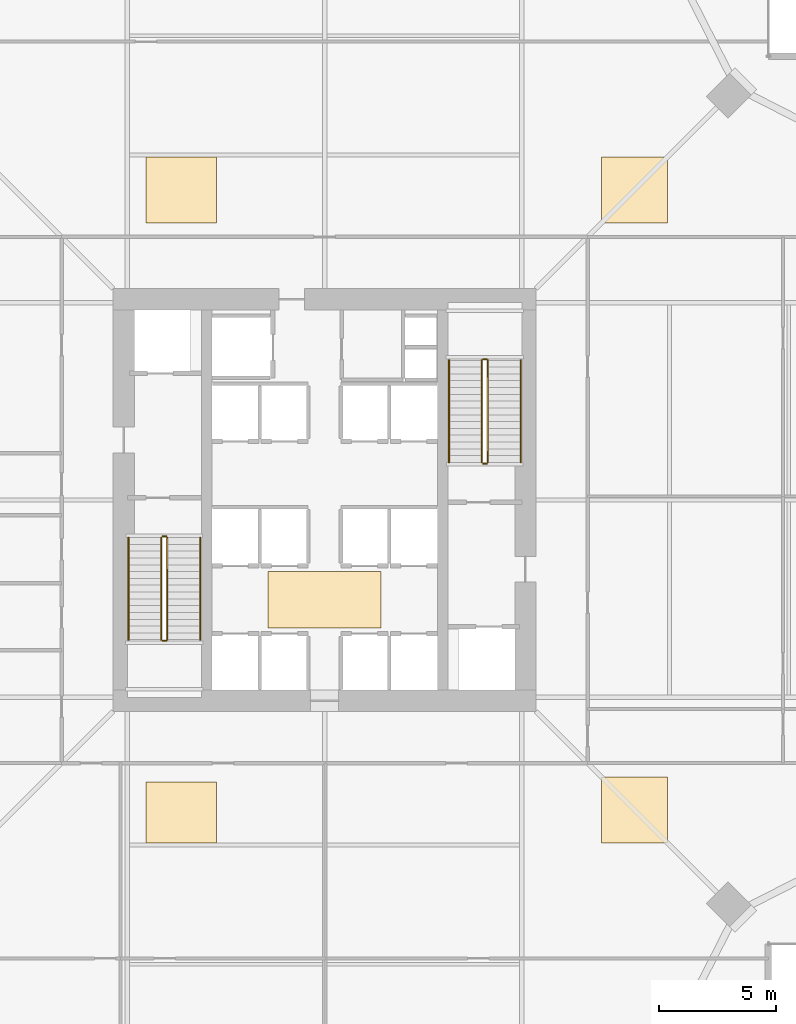
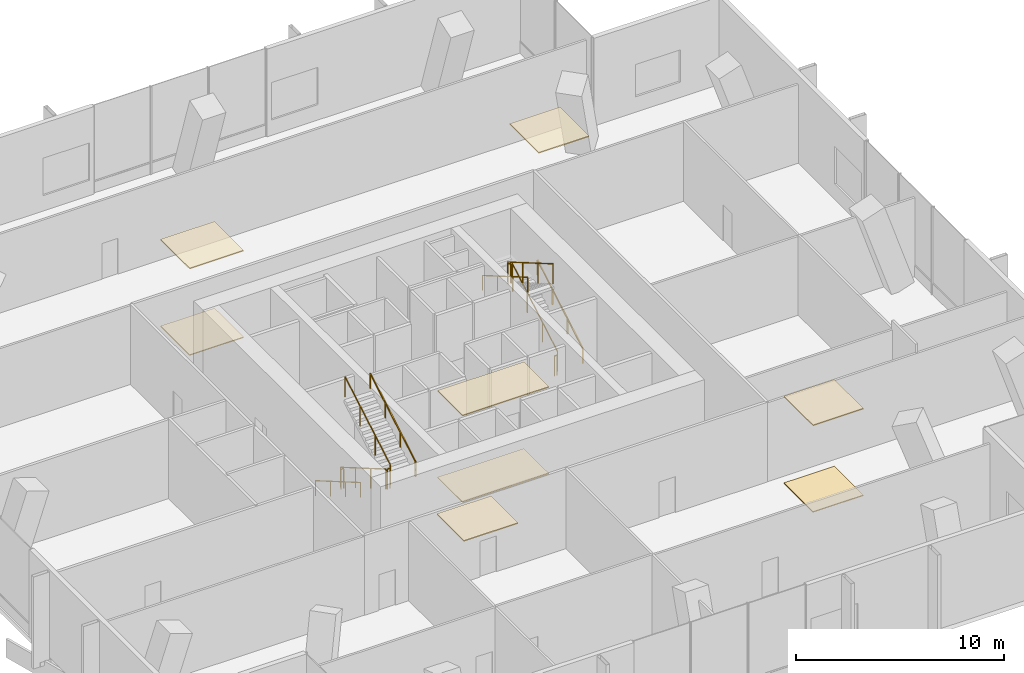
# One storey, part 28 of 28: 12 railings, 8 coverings.
"""IFC4 building model written with IfcOpenShell, lengths in metres."""

from ifc_helpers import new_model, si_unit, direction, frame, origin, origin_2d, place, context, subcontext, project, spatial, polyline, rectangle, outline, extrude, material, layer, layer_set, type_object, element, save


model = new_model("IFC4")

# Units and contexts
model_context = context("Model", 3, precision=1e-05, world=origin(), true_north=direction((0.0, 1.0)))
body_context = subcontext(model_context, "Body", "Model", "MODEL_VIEW")
ifc_project = project(units=[si_unit("LENGTHUNIT", "METRE"), si_unit("AREAUNIT", "SQUARE_METRE"), si_unit("VOLUMEUNIT", "CUBIC_METRE"), si_unit("PLANEANGLEUNIT", "RADIAN"), si_unit("MASSUNIT", "GRAM", prefix="KILO")], contexts=[model_context])

# Site, building, storey
site_placement = place(None, origin())
site = spatial("IfcSite", under=ifc_project, at=site_placement, CompositionType="ELEMENT")
building_placement = place(site_placement, origin())
building = spatial("IfcBuilding", under=site, at=building_placement, Name="Belovzor Exchange Tower", CompositionType="ELEMENT")
storey_placement = place(building_placement, frame((0.0, 0.0, 132.89990234375)))
storey = spatial("IfcBuildingStorey", under=building, at=storey_placement, Name="L32", CompositionType="ELEMENT", Elevation=132.89990234375)

# Railings
ifc_material_1 = material(Name="Stainless Steel Grade 304", Category="steel")
railing_type_1 = type_object("IfcRailingType", Name="Brushed Stainless Steel Stair Handrail 900", PredefinedType="HANDRAIL", material=ifc_material_1)
railing_1_placement = place(storey_placement, frame((20.449951171875, 27.199951171875, 0.1689453125)))
element("IfcRailing", 1, at=railing_1_placement, inside=storey, type_object=railing_type_1, Name="L32 ST-1 stair handrail 1", PredefinedType="HANDRAIL", context=body_context, shape_type="SweptSolid", body=[
    extrude(rectangle(XDim=0.048095703125, YDim=0.048095703125, at=origin_2d()), frame((0.0, 0.0, 0.8759765625), z_axis=(0.0, -0.864311530196, 0.502956835891), x_axis=(1.0, 0.0, 0.0)), (0.0, 0.0, 1.0), 5.03271484375),
    extrude(rectangle(XDim=0.0419921875, YDim=0.0419921875, at=origin_2d()), origin(), (0.0, 0.0, 1.0), 0.851806640625),
    extrude(rectangle(XDim=0.0419921875, YDim=0.0419921875, at=origin_2d()), frame((0.0, -1.449951171875, 0.84375)), (0.0, 0.0, 1.0), 0.851806640625),
    extrude(rectangle(XDim=0.0419921875, YDim=0.0419921875, at=origin_2d()), frame((0.0, -2.89990234375, 1.6875)), (0.0, 0.0, 1.0), 0.851806640625),
    extrude(rectangle(XDim=0.0419921875, YDim=0.0419921875, at=origin_2d()), frame((0.0, -4.349853515625, 2.53125)), (0.0, 0.0, 1.0), 0.851806640625),
])
railing_2_placement = place(storey_placement, frame((23.5, 22.85009765625, 2.868896484375)))
element("IfcRailing", 2, at=railing_2_placement, inside=storey, type_object=railing_type_1, Name="L32 ST-1 stair handrail 2", PredefinedType="HANDRAIL", context=body_context, shape_type="SweptSolid", body=[
    extrude(rectangle(XDim=0.048095703125, YDim=0.048095703125, at=origin_2d()), frame((0.0, 0.0, 0.8759765625), z_axis=(0.0, 0.864311530196, 0.502956835891), x_axis=(-1.0, 0.0, 0.0)), (0.0, 0.0, 1.0), 5.03271484375),
    extrude(rectangle(XDim=0.0419921875, YDim=0.0419921875, at=origin_2d()), origin(), (0.0, 0.0, 1.0), 0.851806640625),
    extrude(rectangle(XDim=0.0419921875, YDim=0.0419921875, at=origin_2d()), frame((0.0, 1.449951171875, 0.84375)), (0.0, 0.0, 1.0), 0.851806640625),
    extrude(rectangle(XDim=0.0419921875, YDim=0.0419921875, at=origin_2d()), frame((0.0, 2.89990234375, 1.6875)), (0.0, 0.0, 1.0), 0.851806640625),
    extrude(rectangle(XDim=0.0419921875, YDim=0.0419921875, at=origin_2d()), frame((0.0, 4.349853515625, 2.53125)), (0.0, 0.0, 1.0), 0.851806640625),
])
railing_3_placement = place(storey_placement, frame((37.14990234375, 30.39990234375, 0.1689453125)))
element("IfcRailing", 3, at=railing_3_placement, inside=storey, type_object=railing_type_1, Name="L32 ST-2 stair handrail 1", PredefinedType="HANDRAIL", context=body_context, shape_type="SweptSolid", body=[
    extrude(rectangle(XDim=0.048095703125, YDim=0.048095703125, at=origin_2d()), frame((0.0, 0.0, 0.8759765625), z_axis=(0.0, 0.864323800911, 0.50293574856), x_axis=(-1.0, 0.0, 0.0)), (0.0, 0.0, 1.0), 5.032958984375),
    extrude(rectangle(XDim=0.0419921875, YDim=0.0419921875, at=origin_2d()), origin(), (0.0, 0.0, 1.0), 0.851806640625),
    extrude(rectangle(XDim=0.0419921875, YDim=0.0419921875, at=origin_2d()), frame((0.0, 1.449951171875, 0.84375)), (0.0, 0.0, 1.0), 0.851806640625),
    extrude(rectangle(XDim=0.0419921875, YDim=0.0419921875, at=origin_2d()), frame((0.0, 2.900146484375, 1.6875)), (0.0, 0.0, 1.0), 0.851806640625),
    extrude(rectangle(XDim=0.0419921875, YDim=0.0419921875, at=origin_2d()), frame((0.0, 4.35009765625, 2.53125)), (0.0, 0.0, 1.0), 0.851806640625),
])
railing_4_placement = place(storey_placement, frame((34.10009765625, 34.75, 2.868896484375)))
element("IfcRailing", 4, at=railing_4_placement, inside=storey, type_object=railing_type_1, Name="L32 ST-2 stair handrail 2", PredefinedType="HANDRAIL", context=body_context, shape_type="SweptSolid", body=[
    extrude(rectangle(XDim=0.048095703125, YDim=0.048095703125, at=origin_2d()), frame((0.0, 0.0, 0.8759765625), z_axis=(0.0, -0.864323800911, 0.50293574856), x_axis=(1.0, 0.0, 0.0)), (0.0, 0.0, 1.0), 5.032958984375),
    extrude(rectangle(XDim=0.0419921875, YDim=0.0419921875, at=origin_2d()), origin(), (0.0, 0.0, 1.0), 0.851806640625),
    extrude(rectangle(XDim=0.0419921875, YDim=0.0419921875, at=origin_2d()), frame((0.0, -1.449951171875, 0.84375)), (0.0, 0.0, 1.0), 0.851806640625),
    extrude(rectangle(XDim=0.0419921875, YDim=0.0419921875, at=origin_2d()), frame((0.0, -2.900146484375, 1.6875)), (0.0, 0.0, 1.0), 0.851806640625),
    extrude(rectangle(XDim=0.0419921875, YDim=0.0419921875, at=origin_2d()), frame((0.0, -4.35009765625, 2.53125)), (0.0, 0.0, 1.0), 0.851806640625),
])
ifc_material_2 = material(Name="Steel S355", Category="steel")
railing_type_2 = type_object("IfcRailingType", Name="Painted Steel Stairwell Guardrail 1200", PredefinedType="GUARDRAIL", material=ifc_material_2)
railing_5_placement = place(storey_placement, frame((21.85009765625, 27.199951171875, 0.1689453125)))
element("IfcRailing", 5, at=railing_5_placement, inside=storey, type_object=railing_type_2, Name="L32 ST-1 stair guard 1", PredefinedType="GUARDRAIL", context=body_context, shape_type="SweptSolid", body=[
    extrude(rectangle(XDim=0.048095703125, YDim=0.048095703125, at=origin_2d()), frame((0.0, 0.0, 1.17578125), z_axis=(0.0, -0.864311530196, 0.502956835891), x_axis=(1.0, 0.0, 0.0)), (0.0, 0.0, 1.0), 5.03271484375),
    extrude(rectangle(XDim=0.0419921875, YDim=0.0419921875, at=origin_2d()), origin(), (0.0, 0.0, 1.0), 1.15185546875),
    extrude(rectangle(XDim=0.0419921875, YDim=0.0419921875, at=origin_2d()), frame((0.0, -1.449951171875, 0.84375)), (0.0, 0.0, 1.0), 1.15185546875),
    extrude(rectangle(XDim=0.0419921875, YDim=0.0419921875, at=origin_2d()), frame((0.0, -2.89990234375, 1.6875)), (0.0, 0.0, 1.0), 1.15185546875),
    extrude(rectangle(XDim=0.0419921875, YDim=0.0419921875, at=origin_2d()), frame((0.0, -4.349853515625, 2.53125)), (0.0, 0.0, 1.0), 1.15185546875),
])
railing_6_placement = place(storey_placement, frame((21.89990234375, 22.800048828125, 2.7001953125)))
element("IfcRailing", 6, at=railing_6_placement, inside=storey, type_object=railing_type_2, Name="L32 ST-1 stair guard 2", PredefinedType="GUARDRAIL", context=body_context, shape_type="SweptSolid", body=[
    extrude(rectangle(XDim=0.048095703125, YDim=0.048095703125, at=origin_2d()), frame((0.0, 0.0, 1.17578125), z_axis=(1.0, 0.0, 0.0), x_axis=(0.0, 1.0, 0.0)), (0.0, 0.0, 1.0), 0.150146484375),
    extrude(rectangle(XDim=0.0419921875, YDim=0.0419921875, at=origin_2d()), origin(), (0.0, 0.0, 1.0), 1.15185546875),
    extrude(rectangle(XDim=0.0419921875, YDim=0.0419921875, at=origin_2d()), frame((0.150146484375, 0.0, 0.0)), (0.0, 0.0, 1.0), 1.15185546875),
])
railing_7_placement = place(storey_placement, frame((22.10009765625, 22.85009765625, 2.868896484375)))
element("IfcRailing", 7, at=railing_7_placement, inside=storey, type_object=railing_type_2, Name="L32 ST-1 stair guard 3", PredefinedType="GUARDRAIL", context=body_context, shape_type="SweptSolid", body=[
    extrude(rectangle(XDim=0.048095703125, YDim=0.048095703125, at=origin_2d()), frame((0.0, 0.0, 1.17578125), z_axis=(0.0, 0.864311530196, 0.502956835891), x_axis=(-1.0, 0.0, 0.0)), (0.0, 0.0, 1.0), 5.03271484375),
    extrude(rectangle(XDim=0.0419921875, YDim=0.0419921875, at=origin_2d()), origin(), (0.0, 0.0, 1.0), 1.15185546875),
    extrude(rectangle(XDim=0.0419921875, YDim=0.0419921875, at=origin_2d()), frame((0.0, 1.449951171875, 0.84375)), (0.0, 0.0, 1.0), 1.15185546875),
    extrude(rectangle(XDim=0.0419921875, YDim=0.0419921875, at=origin_2d()), frame((0.0, 2.89990234375, 1.6875)), (0.0, 0.0, 1.0), 1.15185546875),
    extrude(rectangle(XDim=0.0419921875, YDim=0.0419921875, at=origin_2d()), frame((0.0, 4.349853515625, 2.53125)), (0.0, 0.0, 1.0), 1.15185546875),
])
railing_8_placement = place(storey_placement, frame((21.89990234375, 27.25, 0.0)))
element("IfcRailing", 8, at=railing_8_placement, inside=storey, type_object=railing_type_2, Name="L32 ST-1 stair guard 4", PredefinedType="GUARDRAIL", context=body_context, shape_type="SweptSolid", body=[
    extrude(rectangle(XDim=0.048095703125, YDim=0.048095703125, at=origin_2d()), frame((0.0, 0.0, 1.17578125), z_axis=(1.0, 0.0, 0.0), x_axis=(0.0, 1.0, 0.0)), (0.0, 0.0, 1.0), 0.150146484375),
    extrude(rectangle(XDim=0.0419921875, YDim=0.0419921875, at=origin_2d()), origin(), (0.0, 0.0, 1.0), 1.15185546875),
    extrude(rectangle(XDim=0.0419921875, YDim=0.0419921875, at=origin_2d()), frame((0.150146484375, 0.0, 0.0)), (0.0, 0.0, 1.0), 1.15185546875),
])
railing_9_placement = place(storey_placement, frame((35.75, 30.39990234375, 0.1689453125)))
element("IfcRailing", 9, at=railing_9_placement, inside=storey, type_object=railing_type_2, Name="L32 ST-2 stair guard 1", PredefinedType="GUARDRAIL", context=body_context, shape_type="SweptSolid", body=[
    extrude(rectangle(XDim=0.048095703125, YDim=0.048095703125, at=origin_2d()), frame((0.0, 0.0, 1.17578125), z_axis=(0.0, 0.864323800911, 0.50293574856), x_axis=(-1.0, 0.0, 0.0)), (0.0, 0.0, 1.0), 5.032958984375),
    extrude(rectangle(XDim=0.0419921875, YDim=0.0419921875, at=origin_2d()), origin(), (0.0, 0.0, 1.0), 1.15185546875),
    extrude(rectangle(XDim=0.0419921875, YDim=0.0419921875, at=origin_2d()), frame((0.0, 1.449951171875, 0.84375)), (0.0, 0.0, 1.0), 1.15185546875),
    extrude(rectangle(XDim=0.0419921875, YDim=0.0419921875, at=origin_2d()), frame((0.0, 2.900146484375, 1.6875)), (0.0, 0.0, 1.0), 1.15185546875),
    extrude(rectangle(XDim=0.0419921875, YDim=0.0419921875, at=origin_2d()), frame((0.0, 4.35009765625, 2.53125)), (0.0, 0.0, 1.0), 1.15185546875),
])
railing_10_placement = place(storey_placement, frame((35.699951171875, 34.800048828125, 2.7001953125)))
element("IfcRailing", 10, at=railing_10_placement, inside=storey, type_object=railing_type_2, Name="L32 ST-2 stair guard 2", PredefinedType="GUARDRAIL", context=body_context, shape_type="SweptSolid", body=[
    extrude(rectangle(XDim=0.048095703125, YDim=0.048095703125, at=origin_2d()), frame((0.0, 0.0, 1.17578125), z_axis=(-1.0, 0.0, 0.0), x_axis=(0.0, -1.0, 0.0)), (0.0, 0.0, 1.0), 0.14990234375),
    extrude(rectangle(XDim=0.0419921875, YDim=0.0419921875, at=origin_2d()), origin(), (0.0, 0.0, 1.0), 1.15185546875),
    extrude(rectangle(XDim=0.0419921875, YDim=0.0419921875, at=origin_2d()), frame((-0.14990234375, 0.0, 0.0)), (0.0, 0.0, 1.0), 1.15185546875),
])
railing_11_placement = place(storey_placement, frame((35.5, 34.75, 2.868896484375)))
element("IfcRailing", 11, at=railing_11_placement, inside=storey, type_object=railing_type_2, Name="L32 ST-2 stair guard 3", PredefinedType="GUARDRAIL", context=body_context, shape_type="SweptSolid", body=[
    extrude(rectangle(XDim=0.048095703125, YDim=0.048095703125, at=origin_2d()), frame((0.0, 0.0, 1.17578125), z_axis=(0.0, -0.864323800911, 0.50293574856), x_axis=(1.0, 0.0, 0.0)), (0.0, 0.0, 1.0), 5.032958984375),
    extrude(rectangle(XDim=0.0419921875, YDim=0.0419921875, at=origin_2d()), origin(), (0.0, 0.0, 1.0), 1.15185546875),
    extrude(rectangle(XDim=0.0419921875, YDim=0.0419921875, at=origin_2d()), frame((0.0, -1.449951171875, 0.84375)), (0.0, 0.0, 1.0), 1.15185546875),
    extrude(rectangle(XDim=0.0419921875, YDim=0.0419921875, at=origin_2d()), frame((0.0, -2.900146484375, 1.6875)), (0.0, 0.0, 1.0), 1.15185546875),
    extrude(rectangle(XDim=0.0419921875, YDim=0.0419921875, at=origin_2d()), frame((0.0, -4.35009765625, 2.53125)), (0.0, 0.0, 1.0), 1.15185546875),
])
railing_12_placement = place(storey_placement, frame((35.699951171875, 30.35009765625, 0.0)))
element("IfcRailing", 12, at=railing_12_placement, inside=storey, type_object=railing_type_2, Name="L32 ST-2 stair guard 4", PredefinedType="GUARDRAIL", context=body_context, shape_type="SweptSolid", body=[
    extrude(rectangle(XDim=0.048095703125, YDim=0.048095703125, at=origin_2d()), frame((0.0, 0.0, 1.17578125), z_axis=(-1.0, 0.0, 0.0), x_axis=(0.0, -1.0, 0.0)), (0.0, 0.0, 1.0), 0.14990234375),
    extrude(rectangle(XDim=0.0419921875, YDim=0.0419921875, at=origin_2d()), origin(), (0.0, 0.0, 1.0), 1.15185546875),
    extrude(rectangle(XDim=0.0419921875, YDim=0.0419921875, at=origin_2d()), frame((-0.14990234375, 0.0, 0.0)), (0.0, 0.0, 1.0), 1.15185546875),
])

# Coverings
ifc_material_3 = material(Name="Perforated Powder-Coated Aluminium", Category="aluminium")
ifc_layer_1 = layer(ifc_material_3, 0.06005859375)
ifc_layer_set_1 = layer_set([ifc_layer_1], Name="Perforated Powder-Coated Aluminium")
covering_type_1 = type_object("IfcCoveringType", Name="Perforated Acoustic Metal Tile Suspended Ceiling 60", PredefinedType="CEILING", material=ifc_layer_set_1)
covering_1_placement = place(storey_placement, frame((0.0, 0.0, 5.085205078125)))
element("IfcCovering", 13, at=covering_1_placement, inside=storey, type_object=covering_type_1, Name="CLG-AC60 Suspended Ceiling CLG-L32-LOB", PredefinedType="CEILING", context=body_context, shape_type="SweptSolid", body=[
    extrude(outline(polyline([(26.39990234375, 23.35009765625), (31.199951171875, 23.35009765625), (31.199951171875, 25.75), (26.39990234375, 25.75), (26.39990234375, 23.35009765625)])), origin(), (0.0, 0.0, 1.0), 0.059814453125),
])
covering_2_placement = place(storey_placement, frame((0.0, 0.0, 5.085205078125)))
element("IfcCovering", 14, at=covering_2_placement, inside=storey, type_object=covering_type_1, Name="CLG-AC60 Suspended Ceiling CLG-L32-Z0", PredefinedType="CEILING", context=body_context, shape_type="SweptSolid", body=[
    extrude(outline(polyline([(21.199951171875, 14.199951171875), (24.199951171875, 14.199951171875), (24.199951171875, 16.800048828125), (21.199951171875, 16.800048828125), (21.199951171875, 14.199951171875)])), origin(), (0.0, 0.0, 1.0), 0.059814453125),
])
covering_3_placement = place(storey_placement, frame((0.0, 0.0, 5.085205078125)))
element("IfcCovering", 15, at=covering_3_placement, inside=storey, type_object=covering_type_1, Name="CLG-AC60 Suspended Ceiling CLG-L32-Z1", PredefinedType="CEILING", context=body_context, shape_type="SweptSolid", body=[
    extrude(outline(polyline([(40.60009765625, 14.199951171875), (43.39990234375, 14.199951171875), (43.39990234375, 17.0), (40.60009765625, 17.0), (40.60009765625, 14.199951171875)])), origin(), (0.0, 0.0, 1.0), 0.059814453125),
])
covering_4_placement = place(storey_placement, frame((0.0, 0.0, 5.085205078125)))
element("IfcCovering", 16, at=covering_4_placement, inside=storey, type_object=covering_type_1, Name="CLG-AC60 Suspended Ceiling CLG-L32-Z2", PredefinedType="CEILING", context=body_context, shape_type="SweptSolid", body=[
    extrude(outline(polyline([(40.60009765625, 40.60009765625), (43.39990234375, 40.60009765625), (43.39990234375, 43.39990234375), (40.60009765625, 43.39990234375), (40.60009765625, 40.60009765625)])), origin(), (0.0, 0.0, 1.0), 0.059814453125),
])
covering_5_placement = place(storey_placement, frame((0.0, 0.0, 5.085205078125)))
element("IfcCovering", 17, at=covering_5_placement, inside=storey, type_object=covering_type_1, Name="CLG-AC60 Suspended Ceiling CLG-L32-Z3", PredefinedType="CEILING", context=body_context, shape_type="SweptSolid", body=[
    extrude(outline(polyline([(21.199951171875, 40.60009765625), (24.199951171875, 40.60009765625), (24.199951171875, 43.39990234375), (21.199951171875, 43.39990234375), (21.199951171875, 40.60009765625)])), origin(), (0.0, 0.0, 1.0), 0.059814453125),
])
ifc_material_4 = material(Name="Polished Natural Granite Tile", Category="masonry")
ifc_layer_2 = layer(ifc_material_4, 0.050048828125)
ifc_layer_set_2 = layer_set([ifc_layer_2], Name="Polished Natural Granite Tile")
covering_type_2 = type_object("IfcCoveringType", Name="Polished Karelian Granite & Raised Access Floor Finish 50", PredefinedType="FLOORING", material=ifc_layer_set_2)
covering_6_placement = place(storey_placement, origin())
element("IfcCovering", 18, at=covering_6_placement, inside=storey, type_object=covering_type_2, Name="FLR-GR50 Floor Finish FLR-L32-LOB", PredefinedType="FLOORING", context=body_context, shape_type="SweptSolid", body=[
    extrude(outline(polyline([(26.39990234375, 23.35009765625), (31.199951171875, 23.35009765625), (31.199951171875, 25.75), (26.39990234375, 25.75), (26.39990234375, 23.35009765625)])), origin(), (0.0, 0.0, 1.0), 0.050048828125),
])
covering_7_placement = place(storey_placement, origin())
element("IfcCovering", 19, at=covering_7_placement, inside=storey, type_object=covering_type_2, Name="FLR-GR50 Floor Finish FLR-L32-Z1", PredefinedType="FLOORING", context=body_context, shape_type="SweptSolid", body=[
    extrude(outline(polyline([(40.60009765625, 14.199951171875), (43.39990234375, 14.199951171875), (43.39990234375, 17.0), (40.60009765625, 17.0), (40.60009765625, 14.199951171875)])), origin(), (0.0, 0.0, 1.0), 0.050048828125),
])
covering_8_placement = place(storey_placement, origin())
element("IfcCovering", 20, at=covering_8_placement, inside=storey, type_object=covering_type_2, Name="FLR-GR50 Floor Finish FLR-L32-Z3", PredefinedType="FLOORING", context=body_context, shape_type="SweptSolid", body=[
    extrude(outline(polyline([(21.199951171875, 40.60009765625), (24.199951171875, 40.60009765625), (24.199951171875, 43.39990234375), (21.199951171875, 43.39990234375), (21.199951171875, 40.60009765625)])), origin(), (0.0, 0.0, 1.0), 0.050048828125),
])

save(model, "model.ifc")
